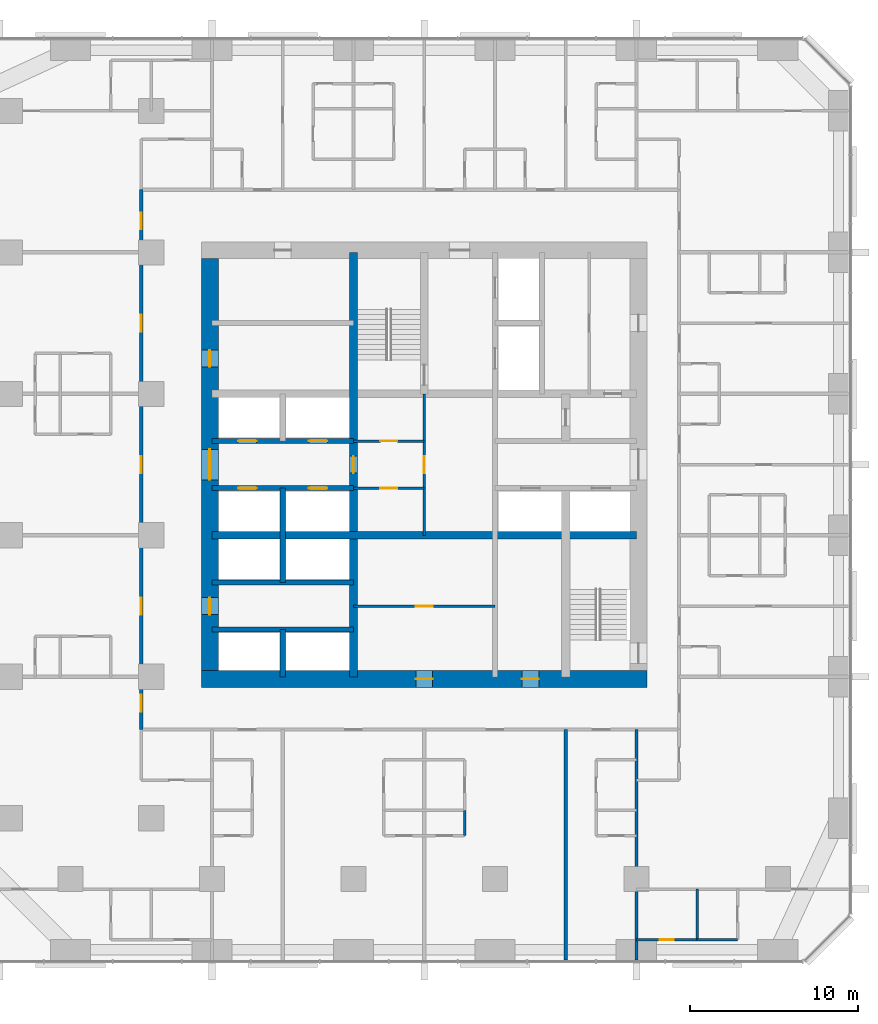
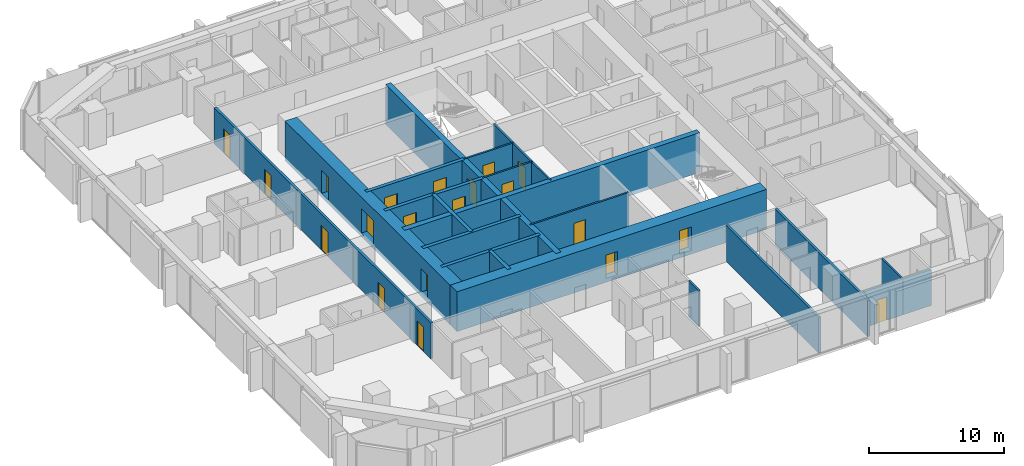
# One storey, part 9 of 14: 21 walls, 20 doors, 20 openings.
"""IFC4 building model written with IfcOpenShell, lengths in metres."""

from ifc_helpers import new_model, si_unit, direction, frame, frame_2d, origin, place, context, subcontext, project, spatial, rectangle, extrude, material, layer, layer_set, type_object, element, fill, save


model = new_model("IFC4")

# Units and contexts
model_context = context("Model", 3, precision=1e-05, world=origin(), true_north=direction((0.0, 1.0)))
body_context = subcontext(model_context, "Body", "Model", "MODEL_VIEW")
ifc_project = project(units=[si_unit("LENGTHUNIT", "METRE"), si_unit("AREAUNIT", "SQUARE_METRE"), si_unit("VOLUMEUNIT", "CUBIC_METRE"), si_unit("PLANEANGLEUNIT", "RADIAN"), si_unit("MASSUNIT", "GRAM", prefix="KILO")], contexts=[model_context])

# Site, building, storey
site_placement = place(None, origin())
site = spatial("IfcSite", under=ifc_project, at=site_placement, CompositionType="ELEMENT")
building_placement = place(site_placement, origin())
building = spatial("IfcBuilding", under=site, at=building_placement, Name="Dunama Terrace Hotel", CompositionType="ELEMENT")
storey_placement = place(building_placement, frame((0.0, 0.0, 122.39990234375)))
storey = spatial("IfcBuildingStorey", under=building, at=storey_placement, Name="L31", CompositionType="ELEMENT", Elevation=122.39990234375)

# Wall, opening, door
ifc_material_1 = material(Name="Gypsum board partition", Category="masonry")
ifc_layer_1 = layer(ifc_material_1, 0.14990234375)
ifc_layer_set_1 = layer_set([ifc_layer_1], Name="Bathroom partition 150")
wall_type_1 = type_object("IfcWallType", Name="Bathroom partition 150", PredefinedType="PARTITIONING", material=ifc_layer_set_1)
wall_1_placement = place(storey_placement, frame((42.0, 1.199951171875, 0.0), z_axis=(0.0, 0.0, 1.0), x_axis=(1.0, 0.0, 0.0)))
wall_1 = element("IfcWall", 1, at=wall_1_placement, inside=storey, type_object=wall_type_1, Name="Bathroom partition 150 L31", PredefinedType="PARTITIONING", context=body_context, shape_type="SweptSolid", body=[
    extrude(rectangle(XDim=3.60009765625, YDim=0.14990234375, at=frame_2d((1.800048828125, 0.0))), origin(), (0.0, 0.0, 1.0), 3.25),
])
opening_1_placement = place(wall_1_placement, frame((1.375, 0.0, 0.0)))
opening_1 = element("IfcOpeningElement", 2, at=opening_1_placement, cuts=wall_1, Name="Opening L31-33-070", PredefinedType="OPENING", context=body_context, shape_type="SweptSolid", body=[
    extrude(rectangle(XDim=0.85009765625, YDim=2.10009765625, at=frame_2d((0.425048828125, 1.050048828125))), frame((0.0, 0.0849609375, 0.0), z_axis=(0.0, -1.0, 0.0), x_axis=(1.0, 0.0, 0.0)), (0.0, 0.0, 1.0), 0.169921875),
])
ifc_material_2 = material(Name="Timber door with steel frame", Category="steel")
door_type_1 = type_object("IfcDoorType", Name="Bathroom door 850", OperationType="SINGLE_SWING_LEFT", PredefinedType="DOOR", material=ifc_material_2)
door_1_placement = place(opening_1_placement, origin())
door_1 = element("IfcDoor", 3, at=door_1_placement, inside=storey, type_object=door_type_1, Name="Door to en-suite bathroom L31-33-070, type D2", OperationType="SINGLE_SWING_LEFT", OverallHeight=2.10009765625, OverallWidth=0.85009765625, PredefinedType="DOOR", context=body_context, shape_type="SweptSolid", body=[
    extrude(rectangle(XDim=0.85009765625, YDim=2.10009765625, at=frame_2d((0.425048828125, 1.050048828125))), frame((0.0, 0.02490234375, 0.0), z_axis=(0.0, -1.0, 0.0), x_axis=(1.0, 0.0, 0.0)), (0.0, 0.0, 1.0), 0.050048828125),
])
fill(opening_1, door_1)

# Walls
ifc_material_3 = material(Name="Concrete C50/60", Category="concrete")
ifc_layer_2 = layer(ifc_material_3, 0.300048828125)
ifc_layer_set_2 = layer_set([ifc_layer_2], Name="Core inner wall 300")
wall_type_2 = type_object("IfcWallType", Name="Core inner wall 300", PredefinedType="SHEAR", material=ifc_layer_set_2)
wall_2_placement = place(storey_placement, frame((21.0, 16.800048828125, -0.349853515625), z_axis=(0.0, 0.0, 1.0), x_axis=(0.0, 1.0, 0.0)))
element("IfcWall", 4, at=wall_2_placement, inside=storey, type_object=wall_type_2, Name="Core inner wall 300 L31", PredefinedType="SHEAR", context=body_context, shape_type="SweptSolid", body=[
    extrude(rectangle(XDim=2.800048828125, YDim=0.300048828125, at=frame_2d((1.39990234375, 0.0))), origin(), (0.0, 0.0, 1.0), 3.599853515625),
])
wall_3_placement = place(storey_placement, frame((21.0, 22.39990234375, -0.349853515625), z_axis=(0.0, 0.0, 1.0), x_axis=(0.0, 1.0, 0.0)))
element("IfcWall", 5, at=wall_3_placement, inside=storey, type_object=wall_type_2, Name="Core inner wall 300 L31", PredefinedType="SHEAR", context=body_context, shape_type="SweptSolid", body=[
    extrude(rectangle(XDim=5.60009765625, YDim=0.300048828125, at=frame_2d((2.800048828125, 0.0))), origin(), (0.0, 0.0, 1.0), 3.599853515625),
])
for number, where, z_axis, x_axis, name in (
    (6, (16.800048828125, 19.60009765625, -0.349853515625), (0.0, 0.0, 1.0), (1.0, 0.0, 0.0), "Core inner wall 300 L31"),
    (7, (16.800048828125, 22.39990234375, -0.349853515625), (0.0, 0.0, 1.0), (1.0, 0.0, 0.0), "Core inner wall 300 L31"),
):
    element("IfcWall", number, at=place(storey_placement, frame(where, z_axis=z_axis, x_axis=x_axis)), inside=storey, type_object=wall_type_2, Name=name, PredefinedType="SHEAR", context=body_context, shape_type="SweptSolid", body=[
        extrude(rectangle(XDim=8.39990234375, YDim=0.300048828125, at=frame_2d((4.199951171875, 0.0))), origin(), (0.0, 0.0, 1.0), 3.599853515625),
    ])

# Wall, openings, doors
wall_4_placement = place(storey_placement, frame((16.800048828125, 28.0, -0.349853515625), z_axis=(0.0, 0.0, 1.0), x_axis=(1.0, 0.0, 0.0)))
wall_4 = element("IfcWall", 8, at=wall_4_placement, inside=storey, type_object=wall_type_2, Name="Core inner wall 300 L31", PredefinedType="SHEAR", context=body_context, shape_type="SweptSolid", body=[
    extrude(rectangle(XDim=8.39990234375, YDim=0.300048828125, at=frame_2d((4.199951171875, 0.0))), origin(), (0.0, 0.0, 1.0), 3.599853515625),
])
opening_2_placement = place(wall_4_placement, frame((1.550048828125, 0.0, 0.35009765625)))
opening_2 = element("IfcOpeningElement", 9, at=opening_2_placement, cuts=wall_4, Name="Opening L31-33-005", PredefinedType="OPENING", context=body_context, shape_type="SweptSolid", body=[
    extrude(rectangle(XDim=1.10009765625, YDim=2.199951171875, at=frame_2d((0.550048828125, 1.10009765625))), frame((0.0, 0.159912109375, 0.0), z_axis=(0.0, -1.0, 0.0), x_axis=(1.0, 0.0, 0.0)), (0.0, 0.0, 1.0), 0.320068359375),
])
opening_3_placement = place(wall_4_placement, frame((5.75, 0.0, 0.35009765625)))
opening_3 = element("IfcOpeningElement", 10, at=opening_3_placement, cuts=wall_4, Name="Opening L31-33-006", PredefinedType="OPENING", context=body_context, shape_type="SweptSolid", body=[
    extrude(rectangle(XDim=1.10009765625, YDim=2.199951171875, at=frame_2d((0.550048828125, 1.10009765625))), frame((0.0, 0.159912109375, 0.0), z_axis=(0.0, -1.0, 0.0), x_axis=(1.0, 0.0, 0.0)), (0.0, 0.0, 1.0), 0.320068359375),
])
ifc_material_4 = material(Name="Stainless steel lift door", Category="steel")
door_type_2 = type_object("IfcDoorType", Name="Lift landing door 1100", OperationType="DOUBLE_DOOR_SLIDING", PredefinedType="DOOR", material=ifc_material_4)
door_2_placement = place(opening_2_placement, origin())
door_2 = element("IfcDoor", 11, at=door_2_placement, inside=storey, type_object=door_type_2, Name="Landing door PC1 L31-33-005, type LD1", OperationType="DOUBLE_DOOR_SLIDING", OverallHeight=2.199951171875, OverallWidth=1.10009765625, PredefinedType="DOOR", context=body_context, shape_type="SweptSolid", body=[
    extrude(rectangle(XDim=1.10009765625, YDim=2.199951171875, at=frame_2d((0.550048828125, 1.10009765625))), frame((0.0, 0.02490234375, 0.0), z_axis=(0.0, -1.0, 0.0), x_axis=(1.0, 0.0, 0.0)), (0.0, 0.0, 1.0), 0.050048828125),
])
fill(opening_2, door_2)
door_3_placement = place(opening_3_placement, origin())
door_3 = element("IfcDoor", 12, at=door_3_placement, inside=storey, type_object=door_type_2, Name="Landing door PC2 L31-33-006, type LD1", OperationType="DOUBLE_DOOR_SLIDING", OverallHeight=2.199951171875, OverallWidth=1.10009765625, PredefinedType="DOOR", context=body_context, shape_type="SweptSolid", body=[
    extrude(rectangle(XDim=1.10009765625, YDim=2.199951171875, at=frame_2d((0.550048828125, 1.10009765625))), frame((0.0, 0.02490234375, 0.0), z_axis=(0.0, -1.0, 0.0), x_axis=(1.0, 0.0, 0.0)), (0.0, 0.0, 1.0), 0.050048828125),
])
fill(opening_3, door_3)

wall_5_placement = place(storey_placement, frame((16.800048828125, 30.800048828125, -0.349853515625), z_axis=(0.0, 0.0, 1.0), x_axis=(1.0, 0.0, 0.0)))
wall_5 = element("IfcWall", 13, at=wall_5_placement, inside=storey, type_object=wall_type_2, Name="Core inner wall 300 L31", PredefinedType="SHEAR", context=body_context, shape_type="SweptSolid", body=[
    extrude(rectangle(XDim=8.39990234375, YDim=0.300048828125, at=frame_2d((4.199951171875, 0.0))), origin(), (0.0, 0.0, 1.0), 3.599853515625),
])
opening_4_placement = place(wall_5_placement, frame((1.550048828125, 0.0, 0.35009765625)))
opening_4 = element("IfcOpeningElement", 14, at=opening_4_placement, cuts=wall_5, Name="Opening L31-33-007", PredefinedType="OPENING", context=body_context, shape_type="SweptSolid", body=[
    extrude(rectangle(XDim=1.10009765625, YDim=2.199951171875, at=frame_2d((0.550048828125, 1.10009765625))), frame((0.0, 0.159912109375, 0.0), z_axis=(0.0, -1.0, 0.0), x_axis=(1.0, 0.0, 0.0)), (0.0, 0.0, 1.0), 0.320068359375),
])
opening_5_placement = place(wall_5_placement, frame((5.75, 0.0, 0.35009765625)))
opening_5 = element("IfcOpeningElement", 15, at=opening_5_placement, cuts=wall_5, Name="Opening L31-33-008", PredefinedType="OPENING", context=body_context, shape_type="SweptSolid", body=[
    extrude(rectangle(XDim=1.10009765625, YDim=2.199951171875, at=frame_2d((0.550048828125, 1.10009765625))), frame((0.0, 0.159912109375, 0.0), z_axis=(0.0, -1.0, 0.0), x_axis=(1.0, 0.0, 0.0)), (0.0, 0.0, 1.0), 0.320068359375),
])
door_4_placement = place(opening_4_placement, origin())
door_4 = element("IfcDoor", 16, at=door_4_placement, inside=storey, type_object=door_type_2, Name="Landing door PC3 L31-33-007, type LD1", OperationType="DOUBLE_DOOR_SLIDING", OverallHeight=2.199951171875, OverallWidth=1.10009765625, PredefinedType="DOOR", context=body_context, shape_type="SweptSolid", body=[
    extrude(rectangle(XDim=1.10009765625, YDim=2.199951171875, at=frame_2d((0.550048828125, 1.10009765625))), frame((0.0, 0.02490234375, 0.0), z_axis=(0.0, -1.0, 0.0), x_axis=(1.0, 0.0, 0.0)), (0.0, 0.0, 1.0), 0.050048828125),
])
fill(opening_4, door_4)
door_5_placement = place(opening_5_placement, origin())
door_5 = element("IfcDoor", 17, at=door_5_placement, inside=storey, type_object=door_type_2, Name="Landing door PC4 L31-33-008, type LD1", OperationType="DOUBLE_DOOR_SLIDING", OverallHeight=2.199951171875, OverallWidth=1.10009765625, PredefinedType="DOOR", context=body_context, shape_type="SweptSolid", body=[
    extrude(rectangle(XDim=1.10009765625, YDim=2.199951171875, at=frame_2d((0.550048828125, 1.10009765625))), frame((0.0, 0.02490234375, 0.0), z_axis=(0.0, -1.0, 0.0), x_axis=(1.0, 0.0, 0.0)), (0.0, 0.0, 1.0), 0.050048828125),
])
fill(opening_5, door_5)

# Wall, opening, door
ifc_material_5 = material(Name="Concrete C50/60", Category="concrete")
ifc_layer_3 = layer(ifc_material_5, 0.449951171875)
ifc_layer_set_3 = layer_set([ifc_layer_3], Name="Core inner wall 450")
wall_type_3 = type_object("IfcWallType", Name="Core inner wall 450", PredefinedType="SHEAR", material=ifc_layer_set_3)
wall_6_placement = place(storey_placement, frame((25.199951171875, 16.800048828125, -0.349853515625), z_axis=(0.0, 0.0, 1.0), x_axis=(0.0, 1.0, 0.0)))
wall_6 = element("IfcWall", 18, at=wall_6_placement, inside=storey, type_object=wall_type_3, Name="Core inner wall 450 L31", PredefinedType="SHEAR", context=body_context, shape_type="SweptSolid", body=[
    extrude(rectangle(XDim=25.199951171875, YDim=0.449951171875, at=frame_2d((12.60009765625, 0.0))), origin(), (0.0, 0.0, 1.0), 3.599853515625),
])
opening_6_placement = place(wall_6_placement, frame((12.10009765625, 0.0, 0.35009765625)))
opening_6 = element("IfcOpeningElement", 19, at=opening_6_placement, cuts=wall_6, Name="Opening L31-33-086", PredefinedType="OPENING", context=body_context, shape_type="SweptSolid", body=[
    extrude(rectangle(XDim=1.0, YDim=2.10009765625, at=frame_2d((0.5, 1.050048828125))), frame((0.0, 0.23486328125, 0.0), z_axis=(0.0, -1.0, 0.0), x_axis=(1.0, 0.0, 0.0)), (0.0, 0.0, 1.0), 0.469970703125),
])
ifc_material_6 = material(Name="Timber door with steel frame", Category="steel")
door_type_3 = type_object("IfcDoorType", Name="Service door 1000", OperationType="SINGLE_SWING_LEFT", PredefinedType="DOOR", material=ifc_material_6)
door_6_placement = place(opening_6_placement, origin())
door_6 = element("IfcDoor", 20, at=door_6_placement, inside=storey, type_object=door_type_3, Name="Door to guest services passage L31-33-086, type D7", OperationType="SINGLE_SWING_LEFT", OverallHeight=2.10009765625, OverallWidth=1.0, PredefinedType="DOOR", context=body_context, shape_type="SweptSolid", body=[
    extrude(rectangle(XDim=1.0, YDim=2.10009765625, at=frame_2d((0.5, 1.050048828125))), frame((0.0, 0.02490234375, 0.0), z_axis=(0.0, -1.0, 0.0), x_axis=(1.0, 0.0, 0.0)), (0.0, 0.0, 1.0), 0.050048828125),
])
fill(opening_6, door_6)

# Wall
wall_7_placement = place(storey_placement, frame((16.800048828125, 25.199951171875, -0.349853515625), z_axis=(0.0, 0.0, 1.0), x_axis=(1.0, 0.0, 0.0)))
element("IfcWall", 21, at=wall_7_placement, inside=storey, type_object=wall_type_3, Name="Core inner wall 450 L31", PredefinedType="SHEAR", context=body_context, shape_type="SweptSolid", body=[
    extrude(rectangle(XDim=25.199951171875, YDim=0.449951171875, at=frame_2d((12.60009765625, 0.0))), origin(), (0.0, 0.0, 1.0), 3.599853515625),
])

# Wall, openings, doors
ifc_material_7 = material(Name="Concrete C60/75", Category="concrete")
ifc_layer_4 = layer(ifc_material_7, 1.0)
ifc_layer_set_4 = layer_set([ifc_layer_4], Name="Core wall 1000")
wall_type_4 = type_object("IfcWallType", Name="Core wall 1000", PredefinedType="SHEAR", material=ifc_layer_set_4)
wall_8_placement = place(storey_placement, frame((16.175048828125, 16.675048828125, -0.349853515625), z_axis=(0.0, 0.0, 1.0), x_axis=(1.0, 0.0, 0.0)))
wall_8 = element("IfcWall", 22, at=wall_8_placement, inside=storey, type_object=wall_type_4, Name="Core wall south L31", PredefinedType="SHEAR", context=body_context, shape_type="SweptSolid", body=[
    extrude(rectangle(XDim=26.449951171875, YDim=1.0, at=frame_2d((13.22509765625, 0.0))), origin(), (0.0, 0.0, 1.0), 3.599853515625),
])
opening_7_placement = place(wall_8_placement, frame((12.72509765625, 0.0, 0.35009765625)))
opening_7 = element("IfcOpeningElement", 23, at=opening_7_placement, cuts=wall_8, Name="Opening L31-33-096", PredefinedType="OPENING", context=body_context, shape_type="SweptSolid", body=[
    extrude(rectangle(XDim=1.0, YDim=2.10009765625, at=frame_2d((0.5, 1.050048828125))), frame((0.0, 0.510009765625, 0.0), z_axis=(0.0, -1.0, 0.0), x_axis=(1.0, 0.0, 0.0)), (0.0, 0.0, 1.0), 1.02001953125),
])
opening_8_placement = place(wall_8_placement, frame((19.02490234375, 0.0, 0.35009765625)))
opening_8 = element("IfcOpeningElement", 24, at=opening_8_placement, cuts=wall_8, Name="Opening L31-33-098", PredefinedType="OPENING", context=body_context, shape_type="SweptSolid", body=[
    extrude(rectangle(XDim=1.0, YDim=2.10009765625, at=frame_2d((0.5, 1.050048828125))), frame((0.0, 0.510009765625, 0.0), z_axis=(0.0, -1.0, 0.0), x_axis=(1.0, 0.0, 0.0)), (0.0, 0.0, 1.0), 1.02001953125),
])
door_7_placement = place(opening_7_placement, origin())
door_7 = element("IfcDoor", 25, at=door_7_placement, inside=storey, type_object=door_type_3, Name="Door to corridor air handling room L31-33-096, type D7", OperationType="SINGLE_SWING_LEFT", OverallHeight=2.10009765625, OverallWidth=1.0, PredefinedType="DOOR", context=body_context, shape_type="SweptSolid", body=[
    extrude(rectangle(XDim=1.0, YDim=2.10009765625, at=frame_2d((0.5, 1.050048828125))), frame((0.0, 0.02490234375, 0.0), z_axis=(0.0, -1.0, 0.0), x_axis=(1.0, 0.0, 0.0)), (0.0, 0.0, 1.0), 0.050048828125),
])
fill(opening_7, door_7)
door_8_placement = place(opening_8_placement, origin())
door_8 = element("IfcDoor", 26, at=door_8_placement, inside=storey, type_object=door_type_3, Name="Door to water riser room L31-33-098, type D7", OperationType="SINGLE_SWING_RIGHT", OverallHeight=2.10009765625, OverallWidth=1.0, PredefinedType="DOOR", context=body_context, shape_type="SweptSolid", body=[
    extrude(rectangle(XDim=1.0, YDim=2.10009765625, at=frame_2d((0.5, 1.050048828125))), frame((0.0, 0.02490234375, 0.0), z_axis=(0.0, -1.0, 0.0), x_axis=(1.0, 0.0, 0.0)), (0.0, 0.0, 1.0), 0.050048828125),
])
fill(opening_8, door_8)

wall_9_placement = place(storey_placement, frame((16.675048828125, 41.625, -0.349853515625), z_axis=(0.0, 0.0, 1.0), x_axis=(0.0, -1.0, 0.0)))
wall_9 = element("IfcWall", 27, at=wall_9_placement, inside=storey, type_object=wall_type_4, Name="Core wall west L31", PredefinedType="SHEAR", context=body_context, shape_type="SweptSolid", body=[
    extrude(rectangle(XDim=24.449951171875, YDim=1.0, at=frame_2d((12.22509765625, 0.0))), origin(), (0.0, 0.0, 1.0), 3.599853515625),
])
opening_9_placement = place(wall_9_placement, frame((11.324951171875, 0.0, 0.35009765625)))
opening_9 = element("IfcOpeningElement", 28, at=opening_9_placement, cuts=wall_9, Name="Opening L31-33-082", PredefinedType="OPENING", context=body_context, shape_type="SweptSolid", body=[
    extrude(rectangle(XDim=1.800048828125, YDim=2.199951171875, at=frame_2d((0.89990234375, 1.10009765625))), frame((0.0, 0.510009765625, 0.0), z_axis=(0.0, -1.0, 0.0), x_axis=(1.0, 0.0, 0.0)), (0.0, 0.0, 1.0), 1.02001953125),
])
opening_10_placement = place(wall_9_placement, frame((20.125, 0.0, 0.35009765625)))
opening_10 = element("IfcOpeningElement", 29, at=opening_10_placement, cuts=wall_9, Name="Opening L31-33-083", PredefinedType="OPENING", context=body_context, shape_type="SweptSolid", body=[
    extrude(rectangle(XDim=1.0, YDim=2.10009765625, at=frame_2d((0.5, 1.050048828125))), frame((0.0, 0.510009765625, 0.0), z_axis=(0.0, -1.0, 0.0), x_axis=(1.0, 0.0, 0.0)), (0.0, 0.0, 1.0), 1.02001953125),
])
opening_11_placement = place(wall_9_placement, frame((5.425048828125, 0.0, 0.35009765625)))
opening_11 = element("IfcOpeningElement", 30, at=opening_11_placement, cuts=wall_9, Name="Opening L31-33-084", PredefinedType="OPENING", context=body_context, shape_type="SweptSolid", body=[
    extrude(rectangle(XDim=1.0, YDim=2.10009765625, at=frame_2d((0.5, 1.050048828125))), frame((0.0, 0.510009765625, 0.0), z_axis=(0.0, -1.0, 0.0), x_axis=(1.0, 0.0, 0.0)), (0.0, 0.0, 1.0), 1.02001953125),
])
ifc_material_8 = material(Name="Timber door with steel frame", Category="steel")
door_type_4 = type_object("IfcDoorType", Name="Lift lobby double door 1800", OperationType="DOUBLE_DOOR_DOUBLE_SWING", PredefinedType="DOOR", material=ifc_material_8)
door_9_placement = place(opening_9_placement, origin())
door_9 = element("IfcDoor", 31, at=door_9_placement, inside=storey, type_object=door_type_4, Name="Door to lift lobby L31-33-082, type D3", OperationType="DOUBLE_DOOR_DOUBLE_SWING", OverallHeight=2.199951171875, OverallWidth=1.800048828125, PredefinedType="DOOR", context=body_context, shape_type="SweptSolid", body=[
    extrude(rectangle(XDim=1.800048828125, YDim=2.199951171875, at=frame_2d((0.89990234375, 1.10009765625))), frame((0.0, 0.02490234375, 0.0), z_axis=(0.0, -1.0, 0.0), x_axis=(1.0, 0.0, 0.0)), (0.0, 0.0, 1.0), 0.050048828125),
])
fill(opening_9, door_9)
door_10_placement = place(opening_10_placement, origin())
door_10 = element("IfcDoor", 32, at=door_10_placement, inside=storey, type_object=door_type_3, Name="Door to service lobby L31-33-083, type D7", OperationType="SINGLE_SWING_LEFT", OverallHeight=2.10009765625, OverallWidth=1.0, PredefinedType="DOOR", context=body_context, shape_type="SweptSolid", body=[
    extrude(rectangle(XDim=1.0, YDim=2.10009765625, at=frame_2d((0.5, 1.050048828125))), frame((0.0, 0.02490234375, 0.0), z_axis=(0.0, -1.0, 0.0), x_axis=(1.0, 0.0, 0.0)), (0.0, 0.0, 1.0), 0.050048828125),
])
fill(opening_10, door_10)
door_11_placement = place(opening_11_placement, origin())
door_11 = element("IfcDoor", 33, at=door_11_placement, inside=storey, type_object=door_type_3, Name="Door to electrical room L31-33-084, type D7", OperationType="SINGLE_SWING_RIGHT", OverallHeight=2.10009765625, OverallWidth=1.0, PredefinedType="DOOR", context=body_context, shape_type="SweptSolid", body=[
    extrude(rectangle(XDim=1.0, YDim=2.10009765625, at=frame_2d((0.5, 1.050048828125))), frame((0.0, 0.02490234375, 0.0), z_axis=(0.0, -1.0, 0.0), x_axis=(1.0, 0.0, 0.0)), (0.0, 0.0, 1.0), 0.050048828125),
])
fill(opening_11, door_11)

ifc_material_9 = material(Name="Concrete blockwork", Category="masonry")
ifc_layer_5 = layer(ifc_material_9, 0.199951171875)
ifc_layer_set_5 = layer_set([ifc_layer_5], Name="Corridor partition 200")
wall_type_5 = type_object("IfcWallType", Name="Corridor partition 200", PredefinedType="PARTITIONING", material=ifc_layer_set_5)
wall_10_placement = place(storey_placement, frame((12.60009765625, 13.675048828125, 0.0), z_axis=(0.0, 0.0, 1.0), x_axis=(0.0, 1.0, 0.0)))
wall_10 = element("IfcWall", 34, at=wall_10_placement, inside=storey, type_object=wall_type_5, Name="Corridor partition 200 L31", PredefinedType="PARTITIONING", context=body_context, shape_type="SweptSolid", body=[
    extrude(rectangle(XDim=32.050048828125, YDim=0.199951171875, at=frame_2d((16.02490234375, 0.0))), origin(), (0.0, 0.0, 1.0), 3.25),
])
opening_12_placement = place(wall_10_placement, frame((6.824951171875, 0.0, 0.0)))
opening_12 = element("IfcOpeningElement", 35, at=opening_12_placement, cuts=wall_10, Name="Opening L31-33-053", PredefinedType="OPENING", context=body_context, shape_type="SweptSolid", body=[
    extrude(rectangle(XDim=1.0, YDim=2.199951171875, at=frame_2d((0.5, 1.10009765625))), frame((0.0, 0.10986328125, 0.0), z_axis=(0.0, -1.0, 0.0), x_axis=(1.0, 0.0, 0.0)), (0.0, 0.0, 1.0), 0.219970703125),
])
opening_13_placement = place(wall_10_placement, frame((15.22509765625, 0.0, 0.0)))
opening_13 = element("IfcOpeningElement", 36, at=opening_13_placement, cuts=wall_10, Name="Opening L31-33-056", PredefinedType="OPENING", context=body_context, shape_type="SweptSolid", body=[
    extrude(rectangle(XDim=1.0, YDim=2.199951171875, at=frame_2d((0.5, 1.10009765625))), frame((0.0, 0.10986328125, 0.0), z_axis=(0.0, -1.0, 0.0), x_axis=(1.0, 0.0, 0.0)), (0.0, 0.0, 1.0), 0.219970703125),
])
opening_14_placement = place(wall_10_placement, frame((23.625, 0.0, 0.0)))
opening_14 = element("IfcOpeningElement", 37, at=opening_14_placement, cuts=wall_10, Name="Opening L31-33-059", PredefinedType="OPENING", context=body_context, shape_type="SweptSolid", body=[
    extrude(rectangle(XDim=1.0, YDim=2.199951171875, at=frame_2d((0.5, 1.10009765625))), frame((0.0, 0.10986328125, 0.0), z_axis=(0.0, -1.0, 0.0), x_axis=(1.0, 0.0, 0.0)), (0.0, 0.0, 1.0), 0.219970703125),
])
opening_15_placement = place(wall_10_placement, frame((1.06298828125, 0.0, 0.0)))
opening_15 = element("IfcOpeningElement", 38, at=opening_15_placement, cuts=wall_10, Name="Opening L31-33-062", PredefinedType="OPENING", context=body_context, shape_type="SweptSolid", body=[
    extrude(rectangle(XDim=1.0, YDim=2.199951171875, at=frame_2d((0.5, 1.10009765625))), frame((0.0, 0.10986328125, 0.0), z_axis=(0.0, -1.0, 0.0), x_axis=(1.0, 0.0, 0.0)), (0.0, 0.0, 1.0), 0.219970703125),
])
opening_16_placement = place(wall_10_placement, frame((29.68701171875, 0.0, 0.0)))
opening_16 = element("IfcOpeningElement", 39, at=opening_16_placement, cuts=wall_10, Name="Opening L31-33-077", PredefinedType="OPENING", context=body_context, shape_type="SweptSolid", body=[
    extrude(rectangle(XDim=1.0, YDim=2.199951171875, at=frame_2d((0.5, 1.10009765625))), frame((0.0, 0.10986328125, 0.0), z_axis=(0.0, -1.0, 0.0), x_axis=(1.0, 0.0, 0.0)), (0.0, 0.0, 1.0), 0.219970703125),
])
ifc_material_10 = material(Name="Timber door with steel frame", Category="steel")
door_type_5 = type_object("IfcDoorType", Name="Guest room door 1000", OperationType="SINGLE_SWING_LEFT", PredefinedType="DOOR", material=ifc_material_10)
door_12_placement = place(opening_12_placement, origin())
door_12 = element("IfcDoor", 40, at=door_12_placement, inside=storey, type_object=door_type_5, Name="Door to junior suite L31-33-053, type D1", OperationType="SINGLE_SWING_LEFT", OverallHeight=2.199951171875, OverallWidth=1.0, PredefinedType="DOOR", context=body_context, shape_type="SweptSolid", body=[
    extrude(rectangle(XDim=1.0, YDim=2.199951171875, at=frame_2d((0.5, 1.10009765625))), frame((0.0, 0.02490234375, 0.0), z_axis=(0.0, -1.0, 0.0), x_axis=(1.0, 0.0, 0.0)), (0.0, 0.0, 1.0), 0.050048828125),
])
fill(opening_12, door_12)
door_13_placement = place(opening_13_placement, origin())
door_13 = element("IfcDoor", 41, at=door_13_placement, inside=storey, type_object=door_type_5, Name="Door to junior suite L31-33-056, type D1", OperationType="SINGLE_SWING_RIGHT", OverallHeight=2.199951171875, OverallWidth=1.0, PredefinedType="DOOR", context=body_context, shape_type="SweptSolid", body=[
    extrude(rectangle(XDim=1.0, YDim=2.199951171875, at=frame_2d((0.5, 1.10009765625))), frame((0.0, 0.02490234375, 0.0), z_axis=(0.0, -1.0, 0.0), x_axis=(1.0, 0.0, 0.0)), (0.0, 0.0, 1.0), 0.050048828125),
])
fill(opening_13, door_13)
door_14_placement = place(opening_14_placement, origin())
door_14 = element("IfcDoor", 42, at=door_14_placement, inside=storey, type_object=door_type_5, Name="Door to junior suite L31-33-059, type D1", OperationType="SINGLE_SWING_LEFT", OverallHeight=2.199951171875, OverallWidth=1.0, PredefinedType="DOOR", context=body_context, shape_type="SweptSolid", body=[
    extrude(rectangle(XDim=1.0, YDim=2.199951171875, at=frame_2d((0.5, 1.10009765625))), frame((0.0, 0.02490234375, 0.0), z_axis=(0.0, -1.0, 0.0), x_axis=(1.0, 0.0, 0.0)), (0.0, 0.0, 1.0), 0.050048828125),
])
fill(opening_14, door_14)
door_15_placement = place(opening_15_placement, origin())
door_15 = element("IfcDoor", 43, at=door_15_placement, inside=storey, type_object=door_type_5, Name="Door to corner suite living room L31-33-062, type D1", OperationType="SINGLE_SWING_RIGHT", OverallHeight=2.199951171875, OverallWidth=1.0, PredefinedType="DOOR", context=body_context, shape_type="SweptSolid", body=[
    extrude(rectangle(XDim=1.0, YDim=2.199951171875, at=frame_2d((0.5, 1.10009765625))), frame((0.0, 0.02490234375, 0.0), z_axis=(0.0, -1.0, 0.0), x_axis=(1.0, 0.0, 0.0)), (0.0, 0.0, 1.0), 0.050048828125),
])
fill(opening_15, door_15)
door_16_placement = place(opening_16_placement, origin())
door_16 = element("IfcDoor", 44, at=door_16_placement, inside=storey, type_object=door_type_5, Name="Door to corner suite living room L31-33-077, type D1", OperationType="SINGLE_SWING_LEFT", OverallHeight=2.199951171875, OverallWidth=1.0, PredefinedType="DOOR", context=body_context, shape_type="SweptSolid", body=[
    extrude(rectangle(XDim=1.0, YDim=2.199951171875, at=frame_2d((0.5, 1.10009765625))), frame((0.0, 0.02490234375, 0.0), z_axis=(0.0, -1.0, 0.0), x_axis=(1.0, 0.0, 0.0)), (0.0, 0.0, 1.0), 0.050048828125),
])
fill(opening_16, door_16)

# Walls
ifc_material_11 = material(Name="Concrete blockwork", Category="masonry")
ifc_layer_6 = layer(ifc_material_11, 0.199951171875)
ifc_layer_set_6 = layer_set([ifc_layer_6], Name="Party wall 200")
wall_type_6 = type_object("IfcWallType", Name="Party wall 200", PredefinedType="PARTITIONING", material=ifc_layer_set_6)
for number, where, z_axis, x_axis, name in (
    (45, (37.800048828125, -0.01806640625, 0.0), (0.0, 0.0, 1.0), (0.0, 1.0, 0.0), "Party wall 200 L31"),
    (46, (42.0, -0.01806640625, 0.0), (0.0, 0.0, 1.0), (0.0, 1.0, 0.0), "Party wall 200 L31"),
):
    element("IfcWall", number, at=place(storey_placement, frame(where, z_axis=z_axis, x_axis=x_axis)), inside=storey, type_object=wall_type_6, Name=name, PredefinedType="PARTITIONING", context=body_context, shape_type="SweptSolid", body=[
        extrude(rectangle(XDim=13.693115234375, YDim=0.199951171875, at=frame_2d((6.8466796875, 0.0))), origin(), (0.0, 0.0, 1.0), 3.25),
    ])

# Wall, opening, door
ifc_material_12 = material(Name="Gypsum board partition", Category="masonry")
ifc_layer_7 = layer(ifc_material_12, 0.14990234375)
ifc_layer_set_7 = layer_set([ifc_layer_7], Name="Room partition 150")
wall_type_7 = type_object("IfcWallType", Name="Room partition 150", PredefinedType="PARTITIONING", material=ifc_layer_set_7)
wall_11_placement = place(storey_placement, frame((29.39990234375, 25.199951171875, 0.0), z_axis=(0.0, 0.0, 1.0), x_axis=(0.0, 1.0, 0.0)))
wall_11 = element("IfcWall", 47, at=wall_11_placement, inside=storey, type_object=wall_type_7, Name="Room partition 150 L31", PredefinedType="PARTITIONING", context=body_context, shape_type="SweptSolid", body=[
    extrude(rectangle(XDim=8.400146484375, YDim=0.14990234375, at=frame_2d((4.2001953125, 0.0))), origin(), (0.0, 0.0, 1.0), 3.25),
])
opening_17_placement = place(wall_11_placement, frame((3.699951171875, 0.0, 0.0)))
opening_17 = element("IfcOpeningElement", 48, at=opening_17_placement, cuts=wall_11, Name="Opening L31-33-089", PredefinedType="OPENING", context=body_context, shape_type="SweptSolid", body=[
    extrude(rectangle(XDim=1.0, YDim=2.10009765625, at=frame_2d((0.5, 1.050048828125))), frame((0.0, 0.0849609375, 0.0), z_axis=(0.0, -1.0, 0.0), x_axis=(1.0, 0.0, 0.0)), (0.0, 0.0, 1.0), 0.169921875),
])
door_17_placement = place(opening_17_placement, frame((1.0, 0.0, 0.0), z_axis=(0.0, 0.0, 1.0), x_axis=(-1.0, 0.0, 0.0)))
door_17 = element("IfcDoor", 49, at=door_17_placement, inside=storey, type_object=door_type_3, Name="Door to guest laundry room L31-33-089, type D7", OperationType="SINGLE_SWING_RIGHT", OverallHeight=2.10009765625, OverallWidth=1.0, PredefinedType="DOOR", context=body_context, shape_type="SweptSolid", body=[
    extrude(rectangle(XDim=1.0, YDim=2.10009765625, at=frame_2d((0.5, 1.050048828125))), frame((0.0, 0.025146484375, 0.0), z_axis=(0.0, -1.0, 0.0), x_axis=(1.0, 0.0, 0.0)), (0.0, 0.0, 1.0), 0.050048828125),
])
fill(opening_17, door_17)

# Walls
wall_12_placement = place(storey_placement, frame((31.800048828125, 7.375, 0.0), z_axis=(0.0, 0.0, 1.0), x_axis=(0.0, 1.0, 0.0)))
element("IfcWall", 50, at=wall_12_placement, inside=storey, type_object=wall_type_7, Name="Room partition 150 L31", PredefinedType="PARTITIONING", context=body_context, shape_type="SweptSolid", body=[
    extrude(rectangle(XDim=1.5, YDim=0.14990234375, at=frame_2d((0.75, 0.0))), origin(), (0.0, 0.0, 1.0), 3.25),
])
wall_13_placement = place(storey_placement, frame((45.60009765625, 1.199951171875, 0.0), z_axis=(0.0, 0.0, 1.0), x_axis=(0.0, 1.0, 0.0)))
element("IfcWall", 51, at=wall_13_placement, inside=storey, type_object=wall_type_7, Name="Room partition 150 L31", PredefinedType="PARTITIONING", context=body_context, shape_type="SweptSolid", body=[
    extrude(rectangle(XDim=3.0, YDim=0.14990234375, at=frame_2d((1.5, 0.0))), origin(), (0.0, 0.0, 1.0), 3.25),
])
wall_14_placement = place(storey_placement, frame((45.60009765625, 1.199951171875, 0.0), z_axis=(0.0, 0.0, 1.0), x_axis=(1.0, 0.0, 0.0)))
element("IfcWall", 52, at=wall_14_placement, inside=storey, type_object=wall_type_7, Name="Room partition 150 L31", PredefinedType="PARTITIONING", context=body_context, shape_type="SweptSolid", body=[
    extrude(rectangle(XDim=2.39990234375, YDim=0.14990234375, at=frame_2d((1.199951171875, 0.0))), origin(), (0.0, 0.0, 1.0), 3.25),
])

# Wall, opening, door
wall_15_placement = place(storey_placement, frame((25.199951171875, 21.0, 0.0), z_axis=(0.0, 0.0, 1.0), x_axis=(1.0, 0.0, 0.0)))
wall_15 = element("IfcWall", 53, at=wall_15_placement, inside=storey, type_object=wall_type_7, Name="Room partition 150 L31", PredefinedType="PARTITIONING", context=body_context, shape_type="SweptSolid", body=[
    extrude(rectangle(XDim=8.400146484375, YDim=0.14990234375, at=frame_2d((4.2001953125, 0.0))), origin(), (0.0, 0.0, 1.0), 3.25),
])
opening_18_placement = place(wall_15_placement, frame((3.699951171875, 0.0, 0.0)))
opening_18 = element("IfcOpeningElement", 54, at=opening_18_placement, cuts=wall_15, Name="Opening L31-33-097", PredefinedType="OPENING", context=body_context, shape_type="SweptSolid", body=[
    extrude(rectangle(XDim=1.0, YDim=2.10009765625, at=frame_2d((0.5, 1.050048828125))), frame((0.0, 0.0849609375, 0.0), z_axis=(0.0, -1.0, 0.0), x_axis=(1.0, 0.0, 0.0)), (0.0, 0.0, 1.0), 0.169921875),
])
door_18_placement = place(opening_18_placement, origin())
door_18 = element("IfcDoor", 55, at=door_18_placement, inside=storey, type_object=door_type_3, Name="Door to stair pressurisation fan room L31-33-097, type D7", OperationType="SINGLE_SWING_LEFT", OverallHeight=2.10009765625, OverallWidth=1.0, PredefinedType="DOOR", context=body_context, shape_type="SweptSolid", body=[
    extrude(rectangle(XDim=1.0, YDim=2.10009765625, at=frame_2d((0.5, 1.050048828125))), frame((0.0, 0.02490234375, 0.0), z_axis=(0.0, -1.0, 0.0), x_axis=(1.0, 0.0, 0.0)), (0.0, 0.0, 1.0), 0.050048828125),
])
fill(opening_18, door_18)

wall_16_placement = place(storey_placement, frame((25.199951171875, 28.0, 0.0), z_axis=(0.0, 0.0, 1.0), x_axis=(1.0, 0.0, 0.0)))
wall_16 = element("IfcWall", 56, at=wall_16_placement, inside=storey, type_object=wall_type_7, Name="Room partition 150 L31", PredefinedType="PARTITIONING", context=body_context, shape_type="SweptSolid", body=[
    extrude(rectangle(XDim=4.199951171875, YDim=0.14990234375, at=frame_2d((2.10009765625, 0.0))), origin(), (0.0, 0.0, 1.0), 3.25),
])
opening_19_placement = place(wall_16_placement, frame((1.60009765625, 0.0, 0.0)))
opening_19 = element("IfcOpeningElement", 57, at=opening_19_placement, cuts=wall_16, Name="Opening L31-33-087", PredefinedType="OPENING", context=body_context, shape_type="SweptSolid", body=[
    extrude(rectangle(XDim=1.0, YDim=2.10009765625, at=frame_2d((0.5, 1.050048828125))), frame((0.0, 0.0849609375, 0.0), z_axis=(0.0, -1.0, 0.0), x_axis=(1.0, 0.0, 0.0)), (0.0, 0.0, 1.0), 0.169921875),
])
door_19_placement = place(opening_19_placement, frame((1.0, 0.0, 0.0), z_axis=(0.0, 0.0, 1.0), x_axis=(-1.0, 0.0, 0.0)))
door_19 = element("IfcDoor", 58, at=door_19_placement, inside=storey, type_object=door_type_3, Name="Door to ice and vending room L31-33-087, type D7", OperationType="SINGLE_SWING_RIGHT", OverallHeight=2.10009765625, OverallWidth=1.0, PredefinedType="DOOR", context=body_context, shape_type="SweptSolid", body=[
    extrude(rectangle(XDim=1.0, YDim=2.10009765625, at=frame_2d((0.5, 1.050048828125))), frame((0.0, 0.025146484375, 0.0), z_axis=(0.0, -1.0, 0.0), x_axis=(1.0, 0.0, 0.0)), (0.0, 0.0, 1.0), 0.050048828125),
])
fill(opening_19, door_19)

wall_17_placement = place(storey_placement, frame((25.199951171875, 30.800048828125, 0.0), z_axis=(0.0, 0.0, 1.0), x_axis=(1.0, 0.0, 0.0)))
wall_17 = element("IfcWall", 59, at=wall_17_placement, inside=storey, type_object=wall_type_7, Name="Room partition 150 L31", PredefinedType="PARTITIONING", context=body_context, shape_type="SweptSolid", body=[
    extrude(rectangle(XDim=4.199951171875, YDim=0.14990234375, at=frame_2d((2.10009765625, 0.0))), origin(), (0.0, 0.0, 1.0), 3.25),
])
opening_20_placement = place(wall_17_placement, frame((1.60009765625, 0.0, 0.0)))
opening_20 = element("IfcOpeningElement", 60, at=opening_20_placement, cuts=wall_17, Name="Opening L31-33-088", PredefinedType="OPENING", context=body_context, shape_type="SweptSolid", body=[
    extrude(rectangle(XDim=1.0, YDim=2.10009765625, at=frame_2d((0.5, 1.050048828125))), frame((0.0, 0.0849609375, 0.0), z_axis=(0.0, -1.0, 0.0), x_axis=(1.0, 0.0, 0.0)), (0.0, 0.0, 1.0), 0.169921875),
])
door_20_placement = place(opening_20_placement, origin())
door_20 = element("IfcDoor", 61, at=door_20_placement, inside=storey, type_object=door_type_3, Name="Door to guest pantry L31-33-088, type D7", OperationType="SINGLE_SWING_LEFT", OverallHeight=2.10009765625, OverallWidth=1.0, PredefinedType="DOOR", context=body_context, shape_type="SweptSolid", body=[
    extrude(rectangle(XDim=1.0, YDim=2.10009765625, at=frame_2d((0.5, 1.050048828125))), frame((0.0, 0.02490234375, 0.0), z_axis=(0.0, -1.0, 0.0), x_axis=(1.0, 0.0, 0.0)), (0.0, 0.0, 1.0), 0.050048828125),
])
fill(opening_20, door_20)

save(model, "model.ifc")
